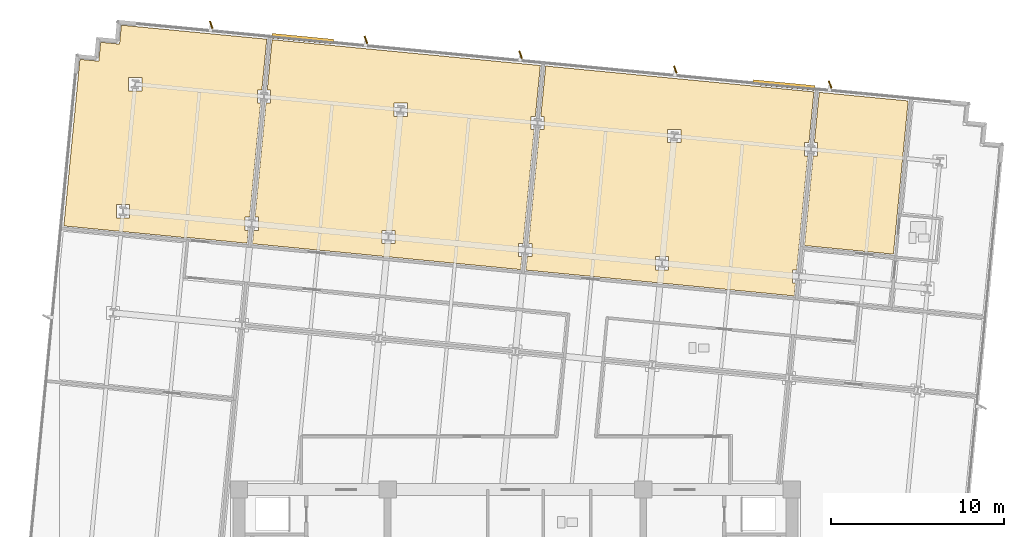
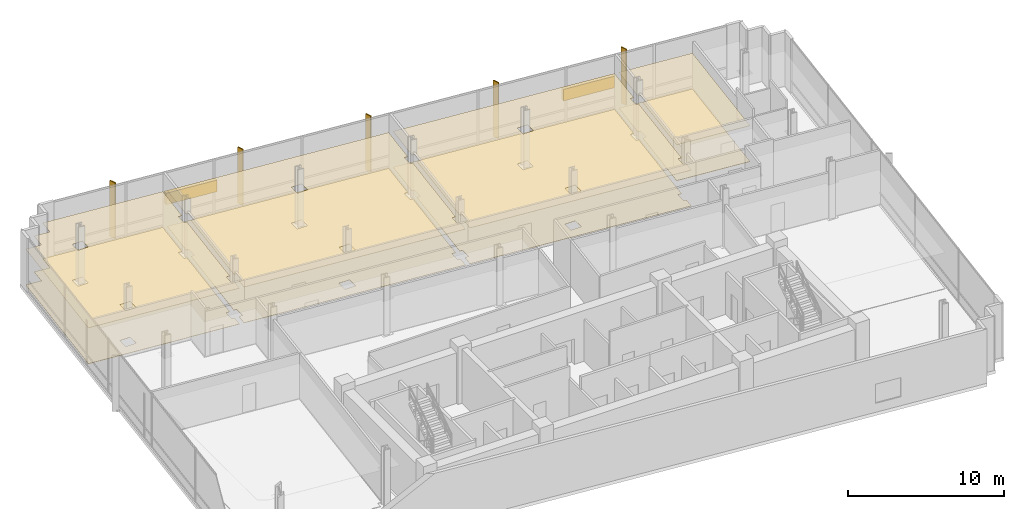
# One storey, part 16 of 17: 8 coverings, 7 shading devices.
"""IFC4 building model written with IfcOpenShell, lengths in metres."""

from ifc_helpers import new_model, si_unit, direction, frame, origin, origin_2d, place, context, subcontext, project, spatial, polyline, rectangle, outline, extrude, material, layer, layer_set, type_object, element, save


model = new_model("IFC4")

# Units and contexts
model_context = context("Model", 3, precision=1e-05, world=origin(), true_north=direction((0.0, 1.0)))
body_context = subcontext(model_context, "Body", "Model", "MODEL_VIEW")
ifc_project = project(units=[si_unit("LENGTHUNIT", "METRE"), si_unit("AREAUNIT", "SQUARE_METRE"), si_unit("VOLUMEUNIT", "CUBIC_METRE"), si_unit("PLANEANGLEUNIT", "RADIAN"), si_unit("MASSUNIT", "GRAM", prefix="KILO")], contexts=[model_context])

# Site, building, storey
site_placement = place(None, origin())
site = spatial("IfcSite", under=ifc_project, at=site_placement, CompositionType="ELEMENT")
building_placement = place(site_placement, origin())
building = spatial("IfcBuilding", under=site, at=building_placement, Name="Solmavex Isthmus Hotel", CompositionType="ELEMENT")
storey_placement = place(building_placement, frame((0.0, 0.0, 177.300048828125)))
storey = spatial("IfcBuildingStorey", under=building, at=storey_placement, Name="L48", CompositionType="ELEMENT", Elevation=177.300048828125)

# Coverings
ifc_material_1 = material(Name="Gypsum plasterboard lining", Category="gypsum")
ifc_layer_1 = layer(ifc_material_1, 0.030029296875)
ifc_layer_set_1 = layer_set([ifc_layer_1], Name="Gypsum plasterboard lining")
covering_type_1 = type_object("IfcCoveringType", Name="COV-CEIL-GYP", PredefinedType="CEILING", material=ifc_layer_set_1)
covering_1_placement = place(storey_placement, frame((0.0, 0.0, 2.800048828125)))
element("IfcCovering", 1, at=covering_1_placement, inside=storey, type_object=covering_type_1, Name="Suspended Acoustic Ceiling L48-RM01", PredefinedType="CEILING", context=body_context, shape_type="SweptSolid", body=[
    extrude(outline(polyline([(-19.121337890625, 12.088623046875), (-19.119384765625, 12.1083984375), (-15.535888671875, 11.763427734375), (-15.463623046875, 12.51611328125), (-15.651123046875, 12.51611328125), (-15.651123046875, 13.276123046875), (-15.390380859375, 13.276123046875), (-14.755126953125, 19.874267578125), (-14.942626953125, 19.874267578125), (-14.942626953125, 20.63427734375), (-14.681884765625, 20.63427734375), (-14.3984375, 23.578857421875), (-21.99609375, 24.310302734375), (-22.8173828125, 24.389404296875), (-22.9228515625, 23.29443359375), (-24.017822265625, 23.39990234375), (-24.123291015625, 22.304931640625), (-25.218017578125, 22.410400390625), (-25.297119140625, 21.589111328125), (-26.14697265625, 12.764892578125), (-19.121337890625, 12.088623046875)]), holes=[polyline([(-22.396240234375, 20.591796875), (-22.396240234375, 21.351806640625), (-21.63623046875, 21.351806640625), (-21.63623046875, 20.591796875), (-22.396240234375, 20.591796875)]), polyline([(-23.104736328125, 13.23388671875), (-23.104736328125, 13.993896484375), (-22.3447265625, 13.993896484375), (-22.3447265625, 13.23388671875), (-23.104736328125, 13.23388671875)])]), origin(), (0.0, 0.0, 1.0), 0.02978515625),
])
covering_2_placement = place(storey_placement, frame((0.0, 0.0, 2.800048828125)))
element("IfcCovering", 2, at=covering_2_placement, inside=storey, type_object=covering_type_1, Name="Suspended Acoustic Ceiling L48-RM02", PredefinedType="CEILING", context=body_context, shape_type="SweptSolid", body=[
    extrude(outline(polyline([(-15.078857421875, 13.276123046875), (-14.89111328125, 13.276123046875), (-14.89111328125, 12.51611328125), (-15.152099609375, 12.51611328125), (-15.2275390625, 11.733642578125), (0.302734375, 10.23828125), (0.375244140625, 10.9912109375), (0.1875, 10.9912109375), (0.1875, 11.751220703125), (0.448486328125, 11.751220703125), (1.083740234375, 18.34912109375), (0.89599609375, 18.34912109375), (0.89599609375, 19.109130859375), (1.156982421875, 19.109130859375), (1.4404296875, 22.0537109375), (-14.08984375, 23.549072265625), (-14.370361328125, 20.63427734375), (-14.1826171875, 20.63427734375), (-14.1826171875, 19.874267578125), (-14.443603515625, 19.874267578125), (-15.078857421875, 13.276123046875)]), holes=[polyline([(-7.0234375, 19.111572265625), (-7.0234375, 19.87158203125), (-6.263427734375, 19.87158203125), (-6.263427734375, 19.111572265625), (-7.0234375, 19.111572265625)]), polyline([(-7.73193359375, 11.753662109375), (-7.73193359375, 12.513671875), (-6.971923828125, 12.513671875), (-6.971923828125, 11.753662109375), (-7.73193359375, 11.753662109375)])]), origin(), (0.0, 0.0, 1.0), 0.02978515625),
])
covering_3_placement = place(storey_placement, frame((0.0, 0.0, 2.800048828125)))
element("IfcCovering", 3, at=covering_3_placement, inside=storey, type_object=covering_type_1, Name="Suspended Acoustic Ceiling L48-RM03", PredefinedType="CEILING", context=body_context, shape_type="SweptSolid", body=[
    extrude(outline(polyline([(0.759765625, 11.751220703125), (0.947509765625, 11.751220703125), (0.947509765625, 10.9912109375), (0.686767578125, 10.9912109375), (0.611328125, 10.20849609375), (4.7333984375, 9.811767578125), (5.606201171875, 9.7275390625), (16.1416015625, 8.713134765625), (16.2138671875, 9.466064453125), (16.0263671875, 9.466064453125), (16.0263671875, 10.22607421875), (16.287109375, 10.22607421875), (16.92236328125, 16.823974609375), (16.73486328125, 16.823974609375), (16.73486328125, 17.583984375), (16.99560546875, 17.583984375), (17.279052734375, 20.528564453125), (1.7490234375, 22.02392578125), (1.46826171875, 19.109130859375), (1.656005859375, 19.109130859375), (1.656005859375, 18.34912109375), (1.395263671875, 18.34912109375), (0.759765625, 11.751220703125)]), holes=[polyline([(8.8154296875, 17.586669921875), (8.8154296875, 18.346435546875), (9.575439453125, 18.346435546875), (9.575439453125, 17.586669921875), (8.8154296875, 17.586669921875)]), polyline([(8.10693359375, 10.228515625), (8.10693359375, 10.988525390625), (8.866943359375, 10.988525390625), (8.866943359375, 10.228515625), (8.10693359375, 10.228515625)])]), origin(), (0.0, 0.0, 1.0), 0.02978515625),
])
covering_4_placement = place(storey_placement, frame((0.0, 0.0, 2.800048828125)))
element("IfcCovering", 4, at=covering_4_placement, inside=storey, type_object=covering_type_1, Name="Suspended Acoustic Ceiling L48-SL04-BD", PredefinedType="CEILING", context=body_context, shape_type="SweptSolid", body=[
    extrude(outline(polyline([(17.30712890625, 17.583984375), (17.494873046875, 17.583984375), (17.494873046875, 16.823974609375), (17.23388671875, 16.823974609375), (17.139404296875, 15.841552734375), (16.733642578125, 11.6279296875), (21.8837890625, 11.132080078125), (22.738037109375, 20.0029296875), (17.587646484375, 20.498779296875), (17.30712890625, 17.583984375)])), origin(), (0.0, 0.0, 1.0), 0.02978515625),
])
ifc_material_2 = material(Name="Travertine natural stone", Category="masonry")
ifc_layer_2 = layer(ifc_material_2, 0.02490234375)
ifc_layer_set_2 = layer_set([ifc_layer_2], Name="Travertine natural stone")
covering_type_2 = type_object("IfcCoveringType", Name="COV-FLOR-STN", PredefinedType="FLOORING", material=ifc_layer_set_2)
covering_5_placement = place(storey_placement, origin())
element("IfcCovering", 5, at=covering_5_placement, inside=storey, type_object=covering_type_2, Name="Stone and Timber Floor Finish L48-RM01", PredefinedType="FLOORING", context=body_context, shape_type="SweptSolid", body=[
    extrude(outline(polyline([(-19.121337890625, 12.088623046875), (-19.119384765625, 12.1083984375), (-15.535888671875, 11.763427734375), (-15.463623046875, 12.51611328125), (-15.651123046875, 12.51611328125), (-15.651123046875, 13.276123046875), (-15.390380859375, 13.276123046875), (-14.755126953125, 19.874267578125), (-14.942626953125, 19.874267578125), (-14.942626953125, 20.63427734375), (-14.681884765625, 20.63427734375), (-14.3984375, 23.578857421875), (-21.99609375, 24.310302734375), (-22.8173828125, 24.389404296875), (-22.9228515625, 23.29443359375), (-24.017822265625, 23.39990234375), (-24.123291015625, 22.304931640625), (-25.218017578125, 22.410400390625), (-25.297119140625, 21.589111328125), (-26.14697265625, 12.764892578125), (-19.121337890625, 12.088623046875)]), holes=[polyline([(-22.396240234375, 20.591796875), (-22.396240234375, 21.351806640625), (-21.63623046875, 21.351806640625), (-21.63623046875, 20.591796875), (-22.396240234375, 20.591796875)]), polyline([(-23.104736328125, 13.23388671875), (-23.104736328125, 13.993896484375), (-22.3447265625, 13.993896484375), (-22.3447265625, 13.23388671875), (-23.104736328125, 13.23388671875)])]), origin(), (0.0, 0.0, 1.0), 0.02490234375),
])
covering_6_placement = place(storey_placement, origin())
element("IfcCovering", 6, at=covering_6_placement, inside=storey, type_object=covering_type_2, Name="Stone and Timber Floor Finish L48-RM02", PredefinedType="FLOORING", context=body_context, shape_type="SweptSolid", body=[
    extrude(outline(polyline([(-15.078857421875, 13.276123046875), (-14.89111328125, 13.276123046875), (-14.89111328125, 12.51611328125), (-15.152099609375, 12.51611328125), (-15.2275390625, 11.733642578125), (0.302734375, 10.23828125), (0.375244140625, 10.9912109375), (0.1875, 10.9912109375), (0.1875, 11.751220703125), (0.448486328125, 11.751220703125), (1.083740234375, 18.34912109375), (0.89599609375, 18.34912109375), (0.89599609375, 19.109130859375), (1.156982421875, 19.109130859375), (1.4404296875, 22.0537109375), (-14.08984375, 23.549072265625), (-14.370361328125, 20.63427734375), (-14.1826171875, 20.63427734375), (-14.1826171875, 19.874267578125), (-14.443603515625, 19.874267578125), (-15.078857421875, 13.276123046875)]), holes=[polyline([(-7.0234375, 19.111572265625), (-7.0234375, 19.87158203125), (-6.263427734375, 19.87158203125), (-6.263427734375, 19.111572265625), (-7.0234375, 19.111572265625)]), polyline([(-7.73193359375, 11.753662109375), (-7.73193359375, 12.513671875), (-6.971923828125, 12.513671875), (-6.971923828125, 11.753662109375), (-7.73193359375, 11.753662109375)])]), origin(), (0.0, 0.0, 1.0), 0.02490234375),
])
covering_7_placement = place(storey_placement, origin())
element("IfcCovering", 7, at=covering_7_placement, inside=storey, type_object=covering_type_2, Name="Stone and Timber Floor Finish L48-RM03", PredefinedType="FLOORING", context=body_context, shape_type="SweptSolid", body=[
    extrude(outline(polyline([(0.759765625, 11.751220703125), (0.947509765625, 11.751220703125), (0.947509765625, 10.9912109375), (0.686767578125, 10.9912109375), (0.611328125, 10.20849609375), (4.7333984375, 9.811767578125), (5.606201171875, 9.7275390625), (16.1416015625, 8.713134765625), (16.2138671875, 9.466064453125), (16.0263671875, 9.466064453125), (16.0263671875, 10.22607421875), (16.287109375, 10.22607421875), (16.92236328125, 16.823974609375), (16.73486328125, 16.823974609375), (16.73486328125, 17.583984375), (16.99560546875, 17.583984375), (17.279052734375, 20.528564453125), (1.7490234375, 22.02392578125), (1.46826171875, 19.109130859375), (1.656005859375, 19.109130859375), (1.656005859375, 18.34912109375), (1.395263671875, 18.34912109375), (0.759765625, 11.751220703125)]), holes=[polyline([(8.8154296875, 17.586669921875), (8.8154296875, 18.346435546875), (9.575439453125, 18.346435546875), (9.575439453125, 17.586669921875), (8.8154296875, 17.586669921875)]), polyline([(8.10693359375, 10.228515625), (8.10693359375, 10.988525390625), (8.866943359375, 10.988525390625), (8.866943359375, 10.228515625), (8.10693359375, 10.228515625)])]), origin(), (0.0, 0.0, 1.0), 0.02490234375),
])
covering_8_placement = place(storey_placement, origin())
element("IfcCovering", 8, at=covering_8_placement, inside=storey, type_object=covering_type_2, Name="Stone and Timber Floor Finish L48-SL04-BD", PredefinedType="FLOORING", context=body_context, shape_type="SweptSolid", body=[
    extrude(outline(polyline([(17.30712890625, 17.583984375), (17.494873046875, 17.583984375), (17.494873046875, 16.823974609375), (17.23388671875, 16.823974609375), (17.139404296875, 15.841552734375), (16.733642578125, 11.6279296875), (21.8837890625, 11.132080078125), (22.738037109375, 20.0029296875), (17.587646484375, 20.498779296875), (17.30712890625, 17.583984375)])), origin(), (0.0, 0.0, 1.0), 0.02490234375),
])

# Shading devices
ifc_material_3 = material(Name="Aluminium alloy 6063-T6", Category="aluminium")
shading_device_type_1 = type_object("IfcShadingDeviceType", Name="SHD-FIN-BRONZE", PredefinedType="USERDEFINED", material=ifc_material_3)
for number, where, z_axis, x_axis, name in (
    (9, (-17.616943359375, 24.406005859375, -0.139892578125), (0.0, 0.0, 1.0), (-0.350207381259, 0.936672189248, 0.0), "Anodised Aluminium Solar Fin L48-N1"),
    (10, (-8.658203125, 23.54345703125, -0.139892578125), (0.0, 0.0, 1.0), (-0.350207381259, 0.936672189248, 0.0), "Anodised Aluminium Solar Fin L48-N2"),
    (11, (0.30029296875, 22.680908203125, -0.139892578125), (0.0, 0.0, 1.0), (-0.350207381259, 0.936672189248, 0.0), "Anodised Aluminium Solar Fin L48-N3"),
    (12, (9.2587890625, 21.818115234375, -0.139892578125), (0.0, 0.0, 1.0), (-0.350207381259, 0.936672189248, 0.0), "Anodised Aluminium Solar Fin L48-N4"),
    (13, (18.217529296875, 20.95556640625, -0.139892578125), (0.0, 0.0, 1.0), (-0.350207381259, 0.936672189248, 0.0), "Anodised Aluminium Solar Fin L48-N5"),
):
    element("IfcShadingDevice", number, at=place(storey_placement, frame(where, z_axis=z_axis, x_axis=x_axis)), inside=storey, type_object=shading_device_type_1, Name=name, ObjectType="SOLAR_FIN", PredefinedType="USERDEFINED", context=body_context, shape_type="SweptSolid", body=[
        extrude(rectangle(XDim=0.449951171875, YDim=0.080078125, at=origin_2d()), origin(), (0.0, 0.0, 1.0), 4.3798828125),
    ])
shading_device_type_2 = type_object("IfcShadingDeviceType", Name="SHD-LOUVRE-BOX", PredefinedType="JALOUSIE", material=ifc_material_3)
for number, where, z_axis, x_axis, name in (
    (14, (-12.3193359375, 23.6044921875, 1.64990234375), (0.0, 0.0, 1.0), (0.995396198367, -0.09584575252, 0.0), "Bronze Anodised Sky-Lobby Louvre Screen L48-1"),
    (15, (15.5517578125, 20.9208984375, 1.64990234375), (0.0, 0.0, 1.0), (0.995396198367, -0.09584575252, 0.0), "Bronze Anodised Sky-Lobby Louvre Screen L48-2"),
):
    element("IfcShadingDevice", number, at=place(storey_placement, frame(where, z_axis=z_axis, x_axis=x_axis)), inside=storey, type_object=shading_device_type_2, Name=name, PredefinedType="JALOUSIE", context=body_context, shape_type="SweptSolid", body=[
        extrude(rectangle(XDim=3.60009765625, YDim=0.280029296875, at=origin_2d()), origin(), (0.0, 0.0, 1.0), 0.89990234375),
    ])

save(model, "model.ifc")
